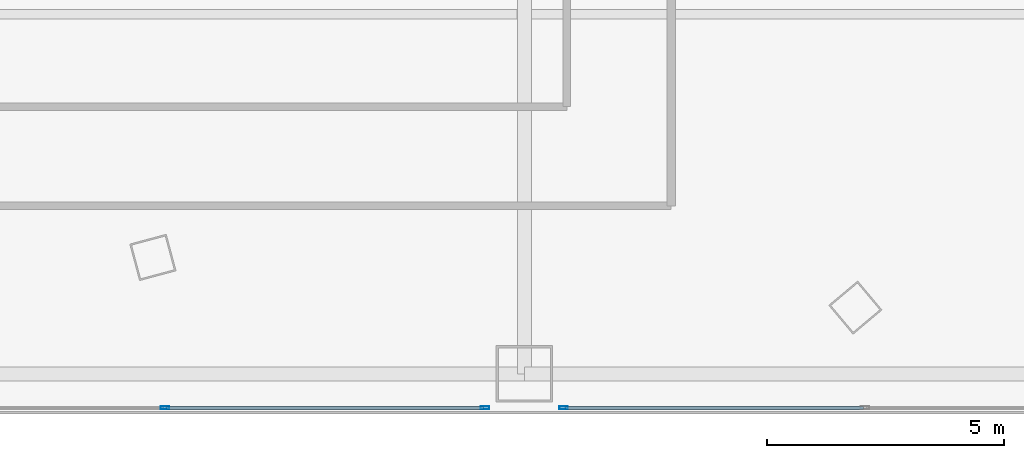
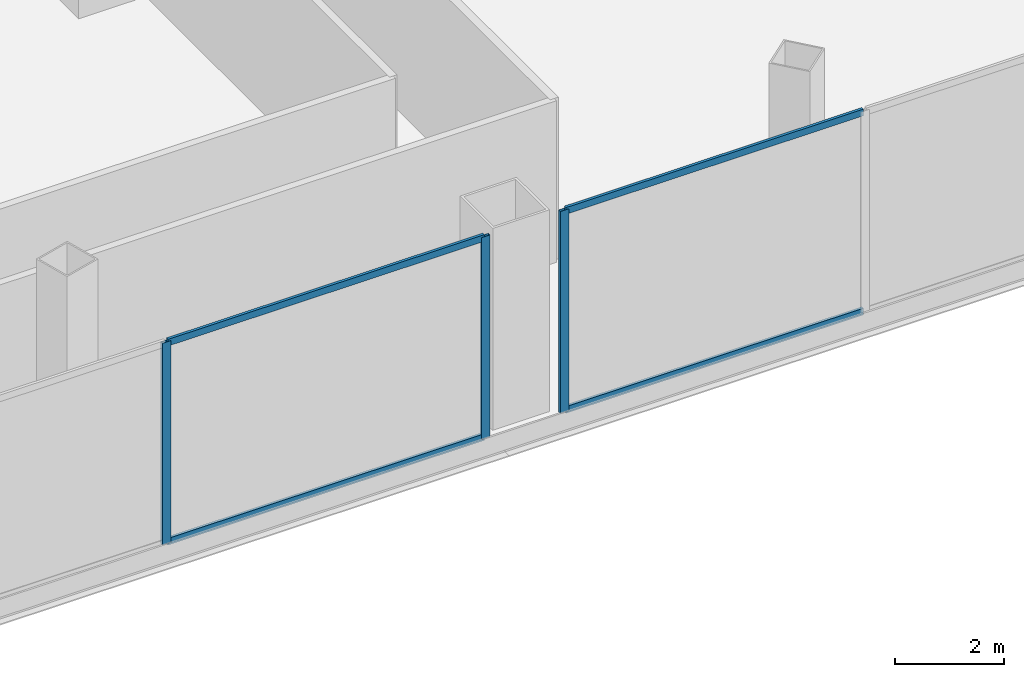
# One storey, part 11 of 27: 7 members, 2 elements without a shape of their own.
"""IFC4 building model written with IfcOpenShell, lengths in metres."""

from ifc_helpers import new_model, si_unit, direction, frame, origin, origin_2d, place, context, subcontext, project, spatial, hollow_rectangle, extrude, source, transform, mapped, material, layer, layer_set, material_profile, profile_set, type_object, element, aggregate, save


model = new_model("IFC4")

# Units and contexts
model_context = context("Model", 3, precision=1e-05, world=origin(), true_north=direction((0.0, 1.0)))
body_context = subcontext(model_context, "Body", "Model", "MODEL_VIEW")
ifc_project = project(units=[si_unit("LENGTHUNIT", "METRE"), si_unit("AREAUNIT", "SQUARE_METRE"), si_unit("VOLUMEUNIT", "CUBIC_METRE"), si_unit("PLANEANGLEUNIT", "RADIAN"), si_unit("MASSUNIT", "GRAM", prefix="KILO"), si_unit("THERMODYNAMICTEMPERATUREUNIT", "KELVIN"), si_unit("POWERUNIT", "WATT")], contexts=[model_context])

# Site, building, storey
site_placement = place(None, origin())
site = spatial("IfcSite", under=ifc_project, at=site_placement, CompositionType="ELEMENT")
building_placement = place(site_placement, origin())
building = spatial("IfcBuilding", under=site, at=building_placement, Name="Yunzhuo Pagoda Commons", CompositionType="ELEMENT")
storey_placement = place(building_placement, frame((0.0, 0.0, 9.60009765625)))
storey = spatial("IfcBuildingStorey", under=building, at=storey_placement, Name="L03", CompositionType="ELEMENT", Elevation=9.60009765625)

# Curtain wall, members
ifc_material = material(Name="Anodized aluminium 6063-T6", Category="aluminium")
ifc_layer = layer(ifc_material, 0.179931640625)
ifc_layer_set = layer_set([ifc_layer], Name="Anodized aluminium 6063-T6")
curtain_wall_type = type_object("IfcCurtainWallType", Name="CW-POD Waterfront Podium Curtain Wall", PredefinedType="NOTDEFINED", material=ifc_layer_set)
curtain_wall_1_placement = place(storey_placement, origin())
curtain_wall_1 = element("IfcCurtainWall", 1, at=curtain_wall_1_placement, inside=storey, type_object=curtain_wall_type, Name="L03 curtain wall CW-L03-S3", PredefinedType="NOTDEFINED")
ifc_material_profile_1 = material_profile(ifc_material, hollow_rectangle(XDim=0.06494140625, YDim=0.179931640625, WallThickness=0.00390625, at=origin_2d()), Name="Anodized aluminium 6063-T6")
ifc_profile_set_1 = profile_set([ifc_material_profile_1], Name="Anodized aluminium 6063-T6")
member_type_1 = type_object("IfcMemberType", Name="CW-POD-M Mullion RHS 180x65x4", PredefinedType="MULLION", material=ifc_profile_set_1)
shared_shape_1 = source(origin(), body_context, "Body", "SweptSolid", [
    extrude(hollow_rectangle(XDim=0.06494140625, YDim=0.179931640625, WallThickness=0.00390625, at=origin_2d()), origin(), (0.0, 0.0, 1.0), 4.52001953125),
])
member_1_placement = place(storey_placement, frame((54.800048828125, 6.080078125, 0.0), z_axis=(0.0, 0.0, 1.0), x_axis=(0.0, 1.0, 0.0)))
member_1 = element("IfcMember", 2, at=member_1_placement, type_object=member_type_1, Name="CW mullion 4", PredefinedType="MULLION", context=body_context, shape_type="MappedRepresentation", body=[
    mapped(shared_shape_1, transform((0.0, 0.0, 0.0), scale=1.0)),
])
member_2_placement = place(storey_placement, frame((61.5673828125, 6.080078125, 0.0), z_axis=(0.0, 0.0, 1.0), x_axis=(0.0, 1.0, 0.0)))
member_2 = element("IfcMember", 3, at=member_2_placement, type_object=member_type_1, Name="CW mullion 5", PredefinedType="MULLION", context=body_context, shape_type="MappedRepresentation", body=[
    mapped(shared_shape_1, transform((0.0, 0.0, 0.0), scale=1.0)),
])

curtain_wall_2_placement = place(storey_placement, origin())
curtain_wall_2 = element("IfcCurtainWall", 4, at=curtain_wall_2_placement, inside=storey, type_object=curtain_wall_type, Name="L03 curtain wall CW-L03-S4", PredefinedType="NOTDEFINED")
member_3_placement = place(storey_placement, frame((63.232421875, 6.080078125, 0.0), z_axis=(0.0, 0.0, 1.0), x_axis=(0.0, 1.0, 0.0)))
member_3 = element("IfcMember", 5, at=member_3_placement, type_object=member_type_1, Name="CW mullion 1", PredefinedType="MULLION", context=body_context, shape_type="MappedRepresentation", body=[
    mapped(shared_shape_1, transform((0.0, 0.0, 0.0), scale=1.0)),
])
ifc_material_profile_2 = material_profile(ifc_material, hollow_rectangle(XDim=0.06005859375, YDim=0.14990234375, WallThickness=0.00390625, at=origin_2d()), Name="Anodized aluminium 6063-T6")
ifc_profile_set_2 = profile_set([ifc_material_profile_2], Name="Anodized aluminium 6063-T6")
member_type_2 = type_object("IfcMemberType", Name="CW-POD-T Transom RHS 150x60x4", PredefinedType="USERDEFINED", material=ifc_profile_set_2)
shared_shape_2 = source(origin(), body_context, "Body", "SweptSolid", [
    extrude(hollow_rectangle(XDim=0.06005859375, YDim=0.14990234375, WallThickness=0.00390625, at=origin_2d()), origin(), (0.0, 0.0, 1.0), 6.302490234375),
])
member_4_placement = place(storey_placement, frame((63.264892578125, 6.080078125, 0.02978515625), z_axis=(1.0, 0.0, 0.0), x_axis=(0.0, 1.0, 0.0)))
member_4 = element("IfcMember", 6, at=member_4_placement, type_object=member_type_2, Name="CW transom 1.1", ObjectType="TRANSOM", PredefinedType="USERDEFINED", context=body_context, shape_type="MappedRepresentation", body=[
    mapped(shared_shape_2, transform((0.0, 0.0, 0.0), scale=1.0)),
])
member_5_placement = place(storey_placement, frame((63.264892578125, 6.080078125, 4.489990234375), z_axis=(1.0, 0.0, 0.0), x_axis=(0.0, 1.0, 0.0)))
member_5 = element("IfcMember", 7, at=member_5_placement, type_object=member_type_2, Name="CW transom 1.2", ObjectType="TRANSOM", PredefinedType="USERDEFINED", context=body_context, shape_type="MappedRepresentation", body=[
    mapped(shared_shape_2, transform((0.0, 0.0, 0.0), scale=1.0)),
])
aggregate(curtain_wall_2, [member_3, member_4, member_5])

# Member
shared_shape_3 = source(origin(), body_context, "Body", "SweptSolid", [
    extrude(hollow_rectangle(XDim=0.06005859375, YDim=0.14990234375, WallThickness=0.00390625, at=origin_2d()), origin(), (0.0, 0.0, 1.0), 6.7021484375),
])
member_6_placement = place(storey_placement, frame((54.832763671875, 6.080078125, 0.02978515625), z_axis=(1.0, 0.0, 0.0), x_axis=(0.0, 1.0, 0.0)))
member_6 = element("IfcMember", 8, at=member_6_placement, type_object=member_type_2, Name="CW transom 4.1", ObjectType="TRANSOM", PredefinedType="USERDEFINED", context=body_context, shape_type="MappedRepresentation", body=[
    mapped(shared_shape_3, transform((0.0, 0.0, 0.0), scale=1.0)),
])

member_7_placement = place(storey_placement, frame((54.832763671875, 6.080078125, 4.489990234375), z_axis=(1.0, 0.0, 0.0), x_axis=(0.0, 1.0, 0.0)))
member_7 = element("IfcMember", 9, at=member_7_placement, type_object=member_type_2, Name="CW transom 4.2", ObjectType="TRANSOM", PredefinedType="USERDEFINED", context=body_context, shape_type="MappedRepresentation", body=[
    mapped(shared_shape_3, transform((0.0, 0.0, 0.0), scale=1.0)),
])

aggregate(curtain_wall_1, [member_1, member_2, member_6, member_7])

save(model, "model.ifc")
